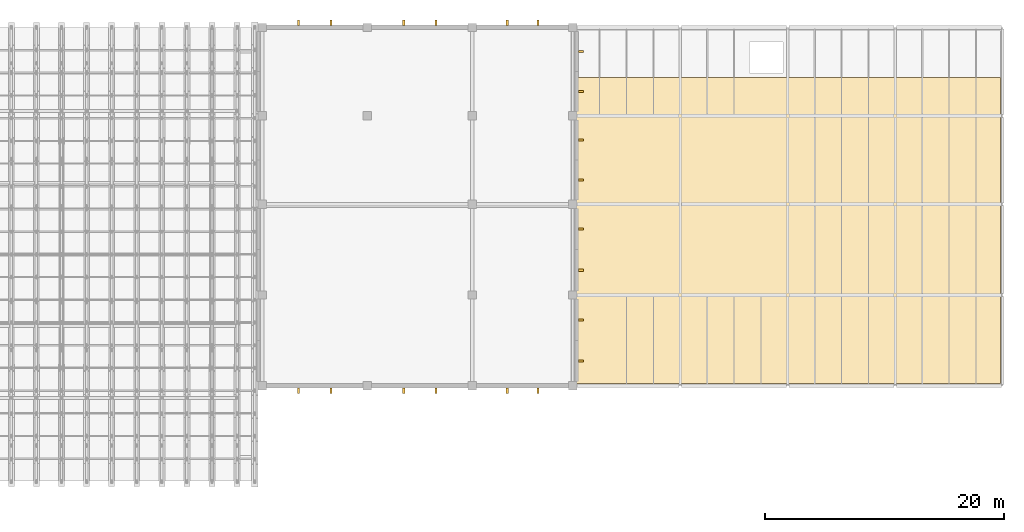
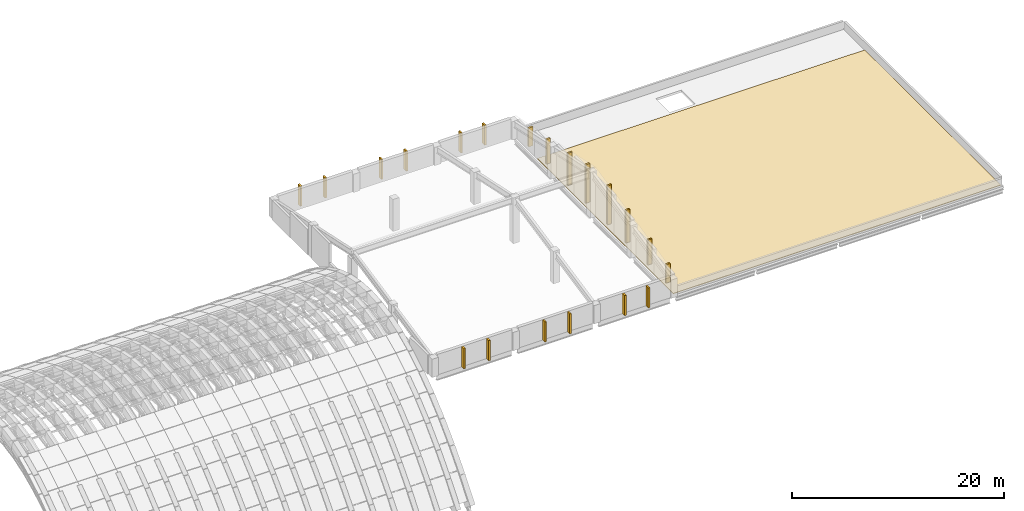
# One storey, part 67 of 67: 20 shading devices, 1 covering.
"""IFC4 building model written with IfcOpenShell, lengths in metres."""

from ifc_helpers import new_model, si_unit, direction, frame, origin, origin_2d, place, context, subcontext, project, spatial, polyline, rectangle, outline, extrude, material, layer, layer_set, type_object, element, save


model = new_model("IFC4")

# Units and contexts
model_context = context("Model", 3, precision=1e-05, world=origin(), true_north=direction((0.0, 1.0)))
body_context = subcontext(model_context, "Body", "Model", "MODEL_VIEW")
ifc_project = project(units=[si_unit("LENGTHUNIT", "METRE"), si_unit("AREAUNIT", "SQUARE_METRE"), si_unit("VOLUMEUNIT", "CUBIC_METRE"), si_unit("PLANEANGLEUNIT", "RADIAN"), si_unit("MASSUNIT", "GRAM", prefix="KILO")], contexts=[model_context])

# Site, building, storey
site_placement = place(None, origin())
site = spatial("IfcSite", under=ifc_project, at=site_placement, CompositionType="ELEMENT")
building_placement = place(site_placement, origin())
building = spatial("IfcBuilding", under=site, at=building_placement, Name="Shengluoqiao Park Theatre", CompositionType="ELEMENT")
storey_placement = place(building_placement, frame((0.0, 0.0, 28.60009765625)))
storey = spatial("IfcBuildingStorey", under=building, at=storey_placement, Name="Roof", CompositionType="ELEMENT", Elevation=28.60009765625)

# Covering
ifc_material_1 = material(Name="TPO roofing membrane")
ifc_layer_1 = layer(ifc_material_1, 0.06494140625, Name="TPO roofing membrane")
ifc_layer_set_1 = layer_set([ifc_layer_1], Name="TPO roofing membrane")
covering_type = type_object("IfcCoveringType", Name="ENV-COV-RFMEM", PredefinedType="ROOFING", material=ifc_layer_set_1)
covering_placement = place(storey_placement, origin())
element("IfcCovering", 1, at=covering_placement, inside=storey, type_object=covering_type, Name="Acoustic Roof Membrane COV-RF-V6TOP", PredefinedType="ROOFING", context=body_context, shape_type="SweptSolid", body=[
    extrude(outline(polyline([(112.60009765625, 84.199951171875), (148.199951171875, 84.199951171875), (148.199951171875, 109.800048828125), (112.60009765625, 109.800048828125), (112.60009765625, 84.199951171875)])), origin(), (0.0, 0.0, 1.0), 0.06494140625),
])

# Shading devices
ifc_material_2 = material(Name="Concrete C45", Category="concrete")
ifc_layer_2 = layer(ifc_material_2, 0.179931640625, Name="Concrete C45")
ifc_layer_set_2 = layer_set([ifc_layer_2], Name="Concrete C45")
shading_device_type = type_object("IfcShadingDeviceType", Name="ENV-FIN-450x180", PredefinedType="USERDEFINED", material=ifc_layer_set_2)
for number, where, z_axis, x_axis, name in (
    (2, (89.451416015625, 114.39990234375, 0.02001953125), (0.0, 0.0, 1.0), (0.0, 1.0, 0.0), "Roof Vertical Concrete Acoustic Rib 0162"),
    (3, (92.148681640625, 114.39990234375, 0.02001953125), (0.0, 0.0, 1.0), (0.0, 1.0, 0.0), "Roof Vertical Concrete Acoustic Rib 0163"),
    (4, (98.251220703125, 114.39990234375, 0.02001953125), (0.0, 0.0, 1.0), (0.0, 1.0, 0.0), "Roof Vertical Concrete Acoustic Rib 0164"),
    (5, (100.94873046875, 114.39990234375, 0.02001953125), (0.0, 0.0, 1.0), (0.0, 1.0, 0.0), "Roof Vertical Concrete Acoustic Rib 0165"),
    (6, (106.91796875, 114.39990234375, 0.02001953125), (0.0, 0.0, 1.0), (0.0, 1.0, 0.0), "Roof Vertical Concrete Acoustic Rib 0166"),
    (7, (109.48193359375, 114.39990234375, 0.02001953125), (0.0, 0.0, 1.0), (0.0, 1.0, 0.0), "Roof Vertical Concrete Acoustic Rib 0167"),
    (8, (89.451416015625, 83.60009765625, 0.02001953125), (0.0, 0.0, 1.0), (0.0, -1.0, 0.0), "Roof Vertical Concrete Acoustic Rib 0168"),
    (9, (92.148681640625, 83.60009765625, 0.02001953125), (0.0, 0.0, 1.0), (0.0, -1.0, 0.0), "Roof Vertical Concrete Acoustic Rib 0169"),
    (10, (98.251220703125, 83.60009765625, 0.02001953125), (0.0, 0.0, 1.0), (0.0, -1.0, 0.0), "Roof Vertical Concrete Acoustic Rib 0170"),
    (11, (100.94873046875, 83.60009765625, 0.02001953125), (0.0, 0.0, 1.0), (0.0, -1.0, 0.0), "Roof Vertical Concrete Acoustic Rib 0171"),
    (12, (106.91796875, 83.60009765625, 0.02001953125), (0.0, 0.0, 1.0), (0.0, -1.0, 0.0), "Roof Vertical Concrete Acoustic Rib 0172"),
    (13, (109.48193359375, 83.60009765625, 0.02001953125), (0.0, 0.0, 1.0), (0.0, -1.0, 0.0), "Roof Vertical Concrete Acoustic Rib 0173"),
):
    element("IfcShadingDevice", number, at=place(storey_placement, frame(where, z_axis=z_axis, x_axis=x_axis)), inside=storey, type_object=shading_device_type, Name=name, ObjectType="FIN", PredefinedType="USERDEFINED", context=body_context, shape_type="SweptSolid", body=[
        extrude(rectangle(XDim=0.449951171875, YDim=0.179931640625, at=origin_2d()), origin(), (0.0, 0.0, 1.0), 2.300048828125),
    ])
shading_device_1_placement = place(storey_placement, frame((113.0849609375, 86.074951171875, 0.019775390625), z_axis=(0.0, 0.0, 1.0), x_axis=(1.0, 0.0, 0.0)))
element("IfcShadingDevice", 14, at=shading_device_1_placement, inside=storey, type_object=shading_device_type, Name="Roof Vertical Concrete Acoustic Rib 0174", ObjectType="FIN", PredefinedType="USERDEFINED", context=body_context, shape_type="SweptSolid", body=[
    extrude(rectangle(XDim=0.449951171875, YDim=0.179931640625, at=origin_2d()), origin(), (0.0, 0.0, 1.0), 2.16650390625),
])
shading_device_2_placement = place(storey_placement, frame((113.0849609375, 89.52490234375, 0.02001953125), z_axis=(0.0, 0.0, 1.0), x_axis=(1.0, 0.0, 0.0)))
element("IfcShadingDevice", 15, at=shading_device_2_placement, inside=storey, type_object=shading_device_type, Name="Roof Vertical Concrete Acoustic Rib 0175", ObjectType="FIN", PredefinedType="USERDEFINED", context=body_context, shape_type="SweptSolid", body=[
    extrude(rectangle(XDim=0.449951171875, YDim=0.179931640625, at=origin_2d()), origin(), (0.0, 0.0, 1.0), 2.899658203125),
])
shading_device_3_placement = place(storey_placement, frame((113.0849609375, 93.675048828125, 0.02001953125), z_axis=(0.0, 0.0, 1.0), x_axis=(1.0, 0.0, 0.0)))
element("IfcShadingDevice", 16, at=shading_device_3_placement, inside=storey, type_object=shading_device_type, Name="Roof Vertical Concrete Acoustic Rib 0176", ObjectType="FIN", PredefinedType="USERDEFINED", context=body_context, shape_type="SweptSolid", body=[
    extrude(rectangle(XDim=0.449951171875, YDim=0.179931640625, at=origin_2d()), origin(), (0.0, 0.0, 1.0), 3.78173828125),
])
shading_device_4_placement = place(storey_placement, frame((113.0849609375, 97.125, 0.019775390625), z_axis=(0.0, 0.0, 1.0), x_axis=(1.0, 0.0, 0.0)))
element("IfcShadingDevice", 17, at=shading_device_4_placement, inside=storey, type_object=shading_device_type, Name="Roof Vertical Concrete Acoustic Rib 0177", ObjectType="FIN", PredefinedType="USERDEFINED", context=body_context, shape_type="SweptSolid", body=[
    extrude(rectangle(XDim=0.449951171875, YDim=0.179931640625, at=origin_2d()), origin(), (0.0, 0.0, 1.0), 4.51513671875),
])
shading_device_5_placement = place(storey_placement, frame((113.0849609375, 101.22509765625, 0.02001953125), z_axis=(0.0, 0.0, 1.0), x_axis=(1.0, 0.0, 0.0)))
element("IfcShadingDevice", 18, at=shading_device_5_placement, inside=storey, type_object=shading_device_type, Name="Roof Vertical Concrete Acoustic Rib 0178", ObjectType="FIN", PredefinedType="USERDEFINED", context=body_context, shape_type="SweptSolid", body=[
    extrude(rectangle(XDim=0.449951171875, YDim=0.179931640625, at=origin_2d()), origin(), (0.0, 0.0, 1.0), 4.451416015625),
])
shading_device_6_placement = place(storey_placement, frame((113.0849609375, 104.574951171875, 0.02001953125), z_axis=(0.0, 0.0, 1.0), x_axis=(1.0, 0.0, 0.0)))
element("IfcShadingDevice", 19, at=shading_device_6_placement, inside=storey, type_object=shading_device_type, Name="Roof Vertical Concrete Acoustic Rib 0179", ObjectType="FIN", PredefinedType="USERDEFINED", context=body_context, shape_type="SweptSolid", body=[
    extrude(rectangle(XDim=0.449951171875, YDim=0.179931640625, at=origin_2d()), origin(), (0.0, 0.0, 1.0), 3.7392578125),
])
shading_device_7_placement = place(storey_placement, frame((113.0849609375, 108.625, 0.019775390625), z_axis=(0.0, 0.0, 1.0), x_axis=(1.0, 0.0, 0.0)))
element("IfcShadingDevice", 20, at=shading_device_7_placement, inside=storey, type_object=shading_device_type, Name="Roof Vertical Concrete Acoustic Rib 0180", ObjectType="FIN", PredefinedType="USERDEFINED", context=body_context, shape_type="SweptSolid", body=[
    extrude(rectangle(XDim=0.449951171875, YDim=0.179931640625, at=origin_2d()), origin(), (0.0, 0.0, 1.0), 2.87841796875),
])
shading_device_8_placement = place(storey_placement, frame((113.0849609375, 111.97509765625, 0.019775390625), z_axis=(0.0, 0.0, 1.0), x_axis=(1.0, 0.0, 0.0)))
element("IfcShadingDevice", 21, at=shading_device_8_placement, inside=storey, type_object=shading_device_type, Name="Roof Vertical Concrete Acoustic Rib 0181", ObjectType="FIN", PredefinedType="USERDEFINED", context=body_context, shape_type="SweptSolid", body=[
    extrude(rectangle(XDim=0.449951171875, YDim=0.179931640625, at=origin_2d()), origin(), (0.0, 0.0, 1.0), 2.16650390625),
])

save(model, "model.ifc")
